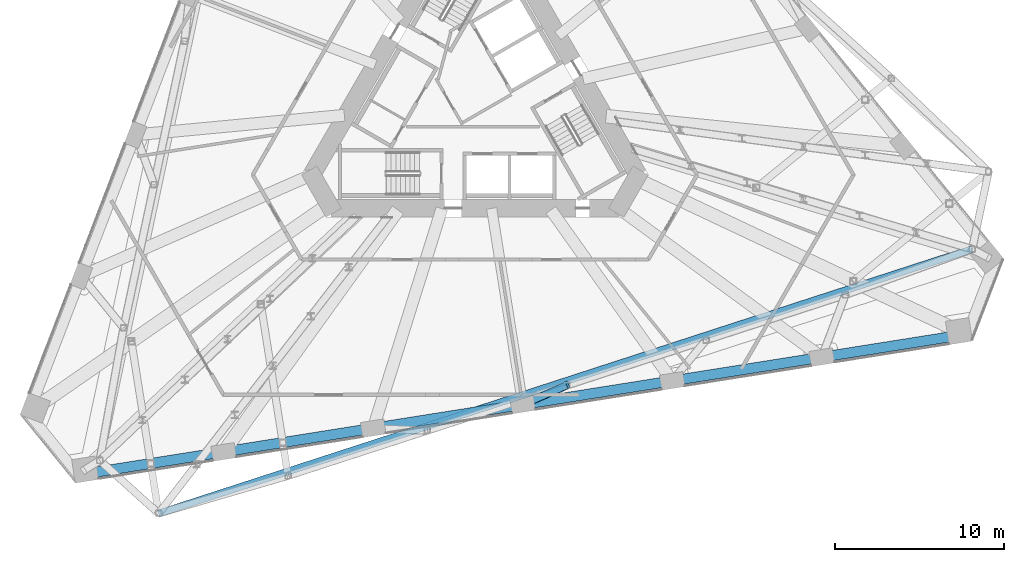
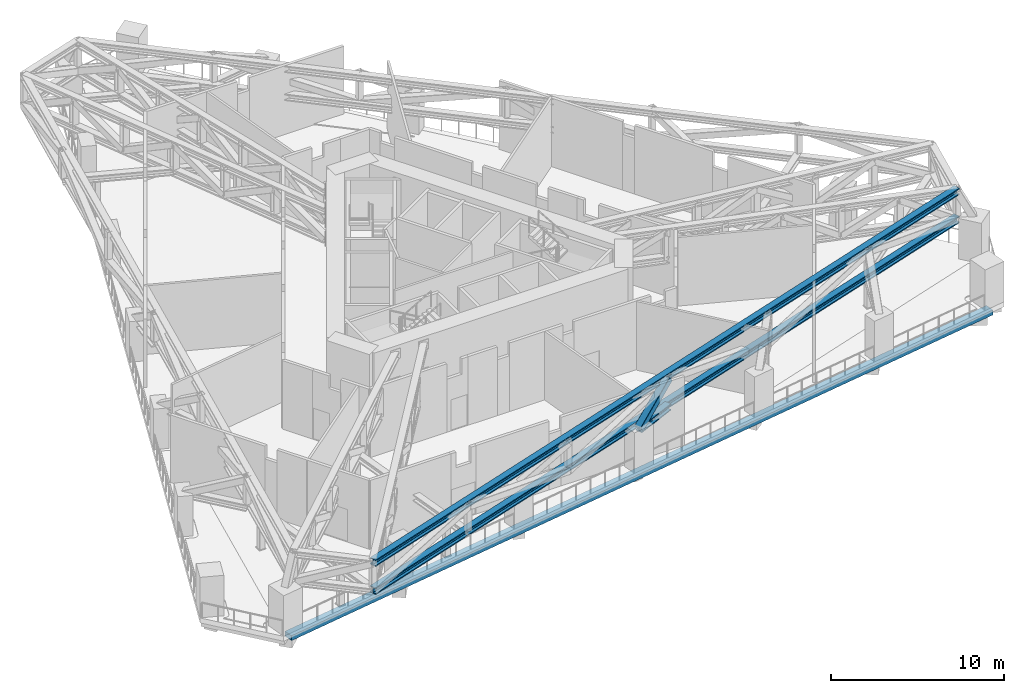
# One storey, part 3 of 20: 4 members, 1 beam.
"""IFC4 building model written with IfcOpenShell, lengths in metres."""

from ifc_helpers import new_model, si_unit, direction, frame, origin, origin_2d, place, context, subcontext, project, spatial, rectangle, hollow_rectangle, i_section, extrude, material, material_profile, profile_set, type_object, element, save


model = new_model("IFC4")

# Units and contexts
model_context = context("Model", 3, precision=1e-05, world=origin(), true_north=direction((0.0, 1.0)))
body_context = subcontext(model_context, "Body", "Model", "MODEL_VIEW")
ifc_project = project(units=[si_unit("LENGTHUNIT", "METRE"), si_unit("AREAUNIT", "SQUARE_METRE"), si_unit("VOLUMEUNIT", "CUBIC_METRE"), si_unit("PLANEANGLEUNIT", "RADIAN"), si_unit("MASSUNIT", "GRAM", prefix="KILO")], contexts=[model_context])

# Site, building, storey
site_placement = place(None, origin())
site = spatial("IfcSite", under=ifc_project, at=site_placement, CompositionType="ELEMENT")
building_placement = place(site_placement, origin())
building = spatial("IfcBuilding", under=site, at=building_placement, Name="Tramontana Tower", CompositionType="ELEMENT")
storey_placement = place(building_placement, frame((0.0, 0.0, 83.199951171875)))
storey = spatial("IfcBuildingStorey", under=building, at=storey_placement, Name="L18", CompositionType="ELEMENT", Elevation=83.199951171875)

# Members
ifc_material_1 = material(Name="Steel ASTM A992 Grade 50", Category="steel")
ifc_material_profile_1 = material_profile(ifc_material_1, i_section(OverallWidth=0.42236328125, OverallDepth=0.463623046875, WebThickness=0.04443359375, FlangeThickness=0.072998046875, FilletRadius=0.014892578125, at=origin_2d()), Name="W14X398")
ifc_profile_set_1 = profile_set([ifc_material_profile_1], Name="Steel ASTM A992 Grade 50")
member_type_1 = type_object("IfcMemberType", Name="Belt truss W14X398 chord", PredefinedType="CHORD", material=ifc_profile_set_1)
for number, where, z_axis, x_axis, name in (
    (1, (-18.697509765625, -24.265380859375, 2.6318359375), (0.95105720178, 0.309014884661, 0.0), (-0.309014884661, 0.95105720178, 0.0), "Belt truss bottom chord S1"),
    (2, (-18.697509765625, -24.265380859375, 4.6181640625), (0.95105720178, 0.309014884661, 0.0), (-0.309014884661, 0.95105720178, 0.0), "Belt truss top chord S1"),
):
    element("IfcMember", number, at=place(storey_placement, frame(where, z_axis=z_axis, x_axis=x_axis)), inside=storey, type_object=member_type_1, Name=name, PredefinedType="CHORD", context=body_context, shape_type="SweptSolid", body=[
        extrude(i_section(OverallWidth=0.42236328125, OverallDepth=0.463623046875, WebThickness=0.04443359375, FlangeThickness=0.072998046875, FilletRadius=0.014892578125, at=origin_2d()), origin(), (0.0, 0.0, 1.0), 50.5615234375),
    ])

# Beam
ifc_material_2 = material(Name="Concrete 40 MPa", Category="concrete")
ifc_material_profile_2 = material_profile(ifc_material_2, rectangle(XDim=0.60009765625, YDim=0.35009765625, at=origin_2d()), Name="RC EDGE BEAM 600X350 40 MPa")
ifc_profile_set_2 = profile_set([ifc_material_profile_2], Name="Concrete 40 MPa")
beam_type = type_object("IfcBeamType", Name="RC EDGE BEAM 600X350 40 MPa", PredefinedType="SPANDREL", material=ifc_profile_set_2)
beam_placement = place(storey_placement, frame((-23.001220703125, -21.91796875, -0.52490234375), z_axis=(0.987688583718, 0.156432930012, 0.0), x_axis=(-0.156432930012, 0.987688583718, 0.0)))
element("IfcBeam", 3, at=beam_placement, inside=storey, type_object=beam_type, Name="Spandrel beam S1 L18", PredefinedType="SPANDREL", context=body_context, shape_type="SweptSolid", body=[
    extrude(rectangle(XDim=0.60009765625, YDim=0.35009765625, at=origin_2d()), origin(), (0.0, 0.0, 1.0), 52.29345703125),
])

# Members
ifc_material_3 = material(Name="Steel ASTM A500 Grade C", Category="steel")
ifc_material_profile_3 = material_profile(ifc_material_3, hollow_rectangle(XDim=0.457275390625, YDim=0.457275390625, WallThickness=0.017822265625, InnerFilletRadius=0.017822265625, OuterFilletRadius=0.035400390625, at=origin_2d()), Name="HSS18X18X3/4")
ifc_profile_set_3 = profile_set([ifc_material_profile_3], Name="Steel ASTM A500 Grade C")
member_type_2 = type_object("IfcMemberType", Name="Transfer truss HSS18X18X3/4 brace", PredefinedType="BRACE", material=ifc_profile_set_3)
member_1_placement = place(storey_placement, frame((2.823486328125, -17.827880859375, 2.6318359375), z_axis=(0.750562906803, 0.328265538785, 0.573495474244), x_axis=(-0.40071049944, 0.91620472365, 0.0)))
element("IfcMember", 4, at=member_1_placement, inside=storey, type_object=member_type_2, Name="Transfer truss strut C2F08 diagonal", PredefinedType="BRACE", context=body_context, shape_type="SweptSolid", body=[
    extrude(hollow_rectangle(XDim=0.457275390625, YDim=0.457275390625, WallThickness=0.017822265625, InnerFilletRadius=0.017822265625, OuterFilletRadius=0.035400390625, at=origin_2d()), origin(), (0.0, 0.0, 1.0), 3.463623046875),
])
ifc_material_4 = material(Name="Steel ASTM A992 Grade 50", Category="steel")
ifc_material_profile_4 = material_profile(ifc_material_4, i_section(OverallWidth=0.42236328125, OverallDepth=0.463623046875, WebThickness=0.04443359375, FlangeThickness=0.072998046875, FilletRadius=0.014892578125, at=origin_2d()), Name="W14X398")
ifc_profile_set_4 = profile_set([ifc_material_profile_4], Name="Steel ASTM A992 Grade 50")
member_type_3 = type_object("IfcMemberType", Name="Transfer truss W14X398 strut", PredefinedType="STRUT", material=ifc_profile_set_4)
member_2_placement = place(storey_placement, frame((2.823486328125, -17.827880859375, 2.6318359375), z_axis=(0.91620472365, 0.40071049944, 0.0), x_axis=(-0.40071049944, 0.91620472365, 0.0)))
element("IfcMember", 5, at=member_2_placement, inside=storey, type_object=member_type_3, Name="Transfer truss strut C2F08 bottom", PredefinedType="STRUT", context=body_context, shape_type="SweptSolid", body=[
    extrude(i_section(OverallWidth=0.42236328125, OverallDepth=0.463623046875, WebThickness=0.04443359375, FlangeThickness=0.072998046875, FilletRadius=0.014892578125, at=origin_2d()), origin(), (0.0, 0.0, 1.0), 2.83740234375),
])

save(model, "model.ifc")
